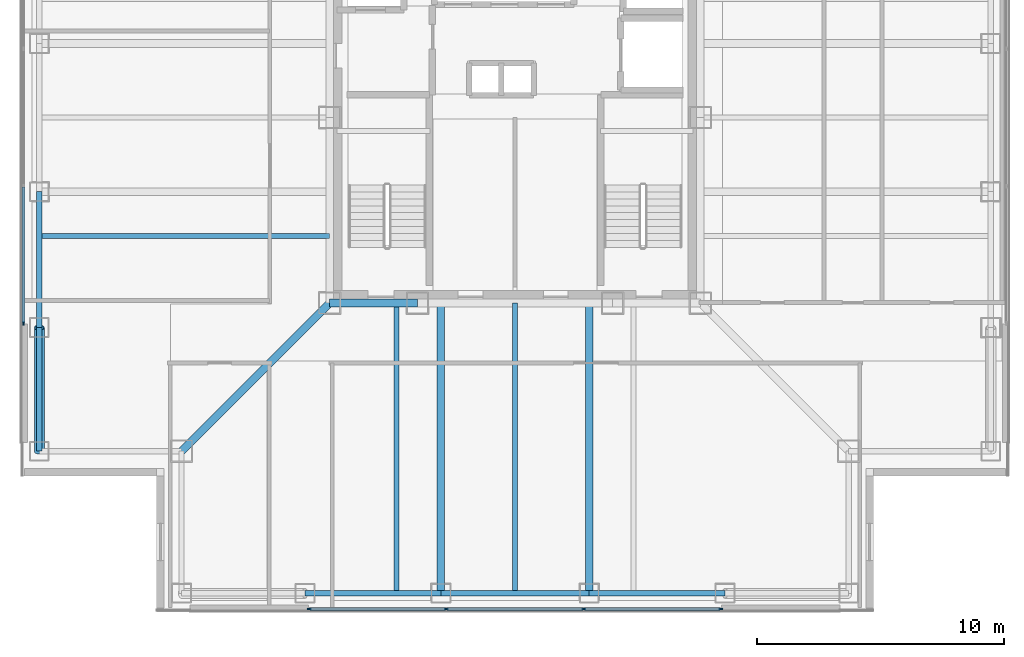
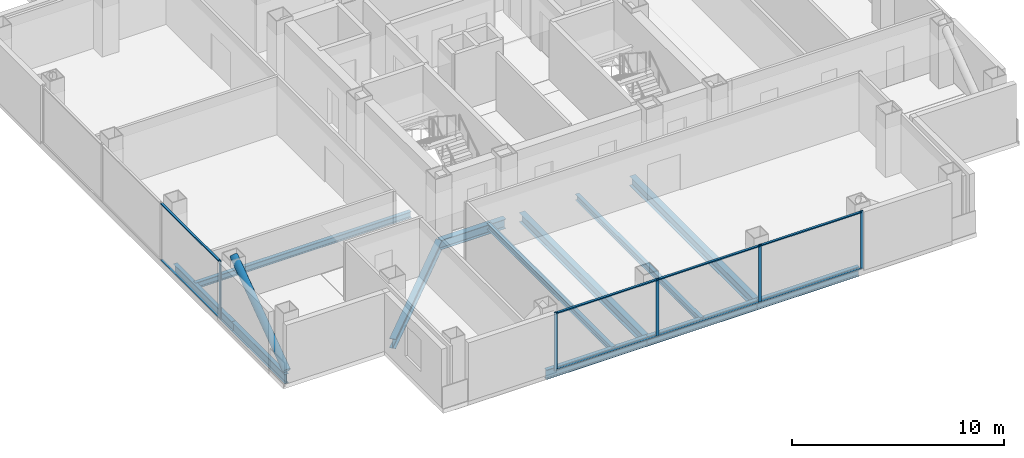
# One storey, part 2 of 16: 14 members, 12 beams, 2 elements without a shape of their own.
"""IFC4 building model written with IfcOpenShell, lengths in metres."""

from ifc_helpers import new_model, si_unit, direction, frame, origin, origin_2d, place, context, subcontext, project, spatial, rectangle, hollow_circle, i_section, extrude, material, layer, layer_set, material_profile, profile_set, type_object, element, aggregate, save


model = new_model("IFC4")

# Units and contexts
model_context = context("Model", 3, precision=1e-05, world=origin(), true_north=direction((0.0, 1.0)))
body_context = subcontext(model_context, "Body", "Model", "MODEL_VIEW")
ifc_project = project(units=[si_unit("LENGTHUNIT", "METRE"), si_unit("AREAUNIT", "SQUARE_METRE"), si_unit("VOLUMEUNIT", "CUBIC_METRE"), si_unit("PLANEANGLEUNIT", "RADIAN"), si_unit("MASSUNIT", "GRAM", prefix="KILO")], contexts=[model_context])

# Site, building, storey
site_placement = place(None, origin())
site = spatial("IfcSite", under=ifc_project, at=site_placement, CompositionType="ELEMENT")
building_placement = place(site_placement, origin())
building = spatial("IfcBuilding", under=site, at=building_placement, Name="Trevonay Congress Spire", CompositionType="ELEMENT")
storey_placement = place(building_placement, frame((0.0, 0.0, 180.60009765625)))
storey = spatial("IfcBuildingStorey", under=building, at=storey_placement, Name="L46", CompositionType="ELEMENT", Elevation=180.60009765625)

# Beams
ifc_material_1 = material(Name="Steel ASTM A572 Grade 50", Category="steel")
ifc_material_profile_1 = material_profile(ifc_material_1, i_section(OverallWidth=0.31201171875, OverallDepth=0.54296875, WebThickness=0.0126953125, FlangeThickness=0.020263671875, FilletRadius=0.014892578125, at=origin_2d()), Name="W530x150")
ifc_profile_set_1 = profile_set([ifc_material_profile_1], Name="Steel ASTM A572 Grade 50")
beam_type_1 = type_object("IfcBeamType", Name="BM-GIRD-W530X150", PredefinedType="BEAM", material=ifc_profile_set_1)
beam_1_placement = place(storey_placement, frame((-7.5, -7.5, -0.51171875), z_axis=(1.0, 0.0, 0.0), x_axis=(0.0, 1.0, 0.0)))
element("IfcBeam", 1, at=beam_1_placement, inside=storey, type_object=beam_type_1, Name="L46 structural beam BM-L46-CR-S1", PredefinedType="BEAM", context=body_context, shape_type="SweptSolid", body=[
    extrude(i_section(OverallWidth=0.31201171875, OverallDepth=0.54296875, WebThickness=0.0126953125, FlangeThickness=0.020263671875, FilletRadius=0.014892578125, at=origin_2d()), origin(), (0.0, 0.0, 1.0), 3.550048828125),
])
beam_2_placement = place(storey_placement, frame((-7.5, -7.5, -0.51171875), z_axis=(-0.707106781187, -0.707106781187, 0.0), x_axis=(0.707106781187, -0.707106781187, 0.0)))
element("IfcBeam", 2, at=beam_2_placement, inside=storey, type_object=beam_type_1, Name="L46 structural beam BM-L46-CDSW", PredefinedType="BEAM", context=body_context, shape_type="SweptSolid", body=[
    extrude(i_section(OverallWidth=0.31201171875, OverallDepth=0.54296875, WebThickness=0.0126953125, FlangeThickness=0.020263671875, FilletRadius=0.014892578125, at=origin_2d()), origin(), (0.0, 0.0, 1.0), 8.4853515625),
])
for number, where, z_axis, x_axis, name in (
    (3, (-3.0, -7.5, -0.51171875), (0.0, -1.0, 0.0), (1.0, 0.0, 0.0), "L46 structural beam BM-L46-GS-M"),
    (4, (3.0, -7.5, -0.51171875), (0.0, -1.0, 0.0), (1.0, 0.0, 0.0), "L46 structural beam BM-L46-GS-P"),
):
    element("IfcBeam", number, at=place(storey_placement, frame(where, z_axis=z_axis, x_axis=x_axis)), inside=storey, type_object=beam_type_1, Name=name, PredefinedType="BEAM", context=body_context, shape_type="SweptSolid", body=[
        extrude(i_section(OverallWidth=0.31201171875, OverallDepth=0.54296875, WebThickness=0.0126953125, FlangeThickness=0.020263671875, FilletRadius=0.014892578125, at=origin_2d()), origin(), (0.0, 0.0, 1.0), 11.75),
    ])
ifc_material_profile_2 = material_profile(ifc_material_1, i_section(OverallWidth=0.2119140625, OverallDepth=0.5439453125, WebThickness=0.01318359375, FlangeThickness=0.021240234375, FilletRadius=0.014892578125, at=origin_2d()), Name="W530x123")
ifc_profile_set_2 = profile_set([ifc_material_profile_2], Name="Steel ASTM A572 Grade 50")
beam_type_2 = type_object("IfcBeamType", Name="BM-RING-W530X123", PredefinedType="BEAM", material=ifc_profile_set_2)
beam_3_placement = place(storey_placement, frame((-19.25, -13.5, -0.51220703125), z_axis=(0.0, 1.0, 0.0), x_axis=(-1.0, 0.0, 0.0)))
element("IfcBeam", 5, at=beam_3_placement, inside=storey, type_object=beam_type_2, Name="L46 structural beam BM-L46-PW1", PredefinedType="BEAM", context=body_context, shape_type="SweptSolid", body=[
    extrude(i_section(OverallWidth=0.2119140625, OverallDepth=0.5439453125, WebThickness=0.01318359375, FlangeThickness=0.021240234375, FilletRadius=0.014892578125, at=origin_2d()), origin(), (0.0, 0.0, 1.0), 5.0),
])
for number, where, z_axis, x_axis, name in (
    (6, (-8.5, -19.25, -0.51220703125), (1.0, 0.0, 0.0), (0.0, 1.0, 0.0), "L46 structural beam BM-L46-PS2"),
    (7, (-19.25, -8.5, -0.51220703125), (0.0, 1.0, 0.0), (-1.0, 0.0, 0.0), "L46 structural beam BM-L46-PW2"),
):
    element("IfcBeam", number, at=place(storey_placement, frame(where, z_axis=z_axis, x_axis=x_axis)), inside=storey, type_object=beam_type_2, Name=name, PredefinedType="BEAM", context=body_context, shape_type="SweptSolid", body=[
        extrude(i_section(OverallWidth=0.2119140625, OverallDepth=0.5439453125, WebThickness=0.01318359375, FlangeThickness=0.021240234375, FilletRadius=0.014892578125, at=origin_2d()), origin(), (0.0, 0.0, 1.0), 5.5),
    ])
beam_4_placement = place(storey_placement, frame((-3.0, -19.25, -0.51220703125), z_axis=(1.0, 0.0, 0.0), x_axis=(0.0, 1.0, 0.0)))
element("IfcBeam", 8, at=beam_4_placement, inside=storey, type_object=beam_type_2, Name="L46 structural beam BM-L46-PS3", PredefinedType="BEAM", context=body_context, shape_type="SweptSolid", body=[
    extrude(i_section(OverallWidth=0.2119140625, OverallDepth=0.5439453125, WebThickness=0.01318359375, FlangeThickness=0.021240234375, FilletRadius=0.014892578125, at=origin_2d()), origin(), (0.0, 0.0, 1.0), 6.0),
])
beam_5_placement = place(storey_placement, frame((3.0, -19.25, -0.51220703125), z_axis=(1.0, 0.0, 0.0), x_axis=(0.0, 1.0, 0.0)))
element("IfcBeam", 9, at=beam_5_placement, inside=storey, type_object=beam_type_2, Name="L46 structural beam BM-L46-PS4", PredefinedType="BEAM", context=body_context, shape_type="SweptSolid", body=[
    extrude(i_section(OverallWidth=0.2119140625, OverallDepth=0.5439453125, WebThickness=0.01318359375, FlangeThickness=0.021240234375, FilletRadius=0.014892578125, at=origin_2d()), origin(), (0.0, 0.0, 1.0), 5.5),
])

# Curtain wall, members
ifc_material_2 = material(Name="Pale Anodised Aluminium EN AW-6063-T6", Category="aluminium")
ifc_layer = layer(ifc_material_2, 0.169921875, Name="Pale Anodised Aluminium EN AW-6063-T6")
ifc_layer_set = layer_set([ifc_layer], Name="Pale Anodised Aluminium EN AW-6063-T6")
curtain_wall_type = type_object("IfcCurtainWallType", Name="CW-SYS04-CORP-PALE-METAL", PredefinedType="NOTDEFINED", material=ifc_layer_set)
curtain_wall_1_placement = place(storey_placement, origin())
curtain_wall_1 = element("IfcCurtainWall", 10, at=curtain_wall_1_placement, inside=storey, type_object=curtain_wall_type, Name="L46 S unitised curtain wall", PredefinedType="NOTDEFINED")
ifc_material_profile_3 = material_profile(ifc_material_2, rectangle(XDim=0.06005859375, YDim=0.159912109375, at=origin_2d()), Name="CW-MULLION-160-ALUMINIUM")
ifc_profile_set_3 = profile_set([ifc_material_profile_3], Name="Pale Anodised Aluminium EN AW-6063-T6")
member_type_1 = type_object("IfcMemberType", Name="CW-MULLION-160-ALUMINIUM", PredefinedType="MULLION", material=ifc_profile_set_3)
member_1_placement = place(storey_placement, frame((-8.320068359375, -19.8798828125, 0.0), z_axis=(0.0, 0.0, 1.0), x_axis=(0.0, 1.0, 0.0)))
member_1 = element("IfcMember", 11, at=member_1_placement, type_object=member_type_1, Name="CW04 mullion 1", PredefinedType="MULLION", context=body_context, shape_type="SweptSolid", body=[
    extrude(rectangle(XDim=0.06005859375, YDim=0.159912109375, at=origin_2d()), origin(), (0.0, 0.0, 1.0), 3.35986328125),
])
member_2_placement = place(storey_placement, frame((-2.783447265625, -19.8798828125, 0.0), z_axis=(0.0, 0.0, 1.0), x_axis=(0.0, 1.0, 0.0)))
member_2 = element("IfcMember", 12, at=member_2_placement, type_object=member_type_1, Name="CW04 mullion 2", PredefinedType="MULLION", context=body_context, shape_type="SweptSolid", body=[
    extrude(rectangle(XDim=0.06005859375, YDim=0.159912109375, at=origin_2d()), origin(), (0.0, 0.0, 1.0), 3.35986328125),
])
member_3_placement = place(storey_placement, frame((2.783447265625, -19.8798828125, 0.0), z_axis=(0.0, 0.0, 1.0), x_axis=(0.0, 1.0, 0.0)))
member_3 = element("IfcMember", 13, at=member_3_placement, type_object=member_type_1, Name="CW04 mullion 3", PredefinedType="MULLION", context=body_context, shape_type="SweptSolid", body=[
    extrude(rectangle(XDim=0.06005859375, YDim=0.159912109375, at=origin_2d()), origin(), (0.0, 0.0, 1.0), 3.35986328125),
])
member_4_placement = place(storey_placement, frame((8.320068359375, -19.8798828125, 0.0), z_axis=(0.0, 0.0, 1.0), x_axis=(0.0, 1.0, 0.0)))
member_4 = element("IfcMember", 14, at=member_4_placement, type_object=member_type_1, Name="CW04 mullion 4", PredefinedType="MULLION", context=body_context, shape_type="SweptSolid", body=[
    extrude(rectangle(XDim=0.06005859375, YDim=0.159912109375, at=origin_2d()), origin(), (0.0, 0.0, 1.0), 3.35986328125),
])

# Curtain wall, member
curtain_wall_2_placement = place(storey_placement, origin())
curtain_wall_2 = element("IfcCurtainWall", 15, at=curtain_wall_2_placement, inside=storey, type_object=curtain_wall_type, Name="L46 W unitised curtain wall", PredefinedType="NOTDEFINED")
member_5_placement = place(storey_placement, frame((-19.8798828125, -8.320068359375, 0.0), z_axis=(0.0, 0.0, 1.0), x_axis=(-1.0, 0.0, 0.0)))
member_5 = element("IfcMember", 16, at=member_5_placement, type_object=member_type_1, Name="CW04 mullion 1", PredefinedType="MULLION", context=body_context, shape_type="SweptSolid", body=[
    extrude(rectangle(XDim=0.06005859375, YDim=0.159912109375, at=origin_2d()), origin(), (0.0, 0.0, 1.0), 3.35986328125),
])

# Member
ifc_material_profile_4 = material_profile(ifc_material_2, rectangle(XDim=0.1201171875, YDim=0.06005859375, at=origin_2d()), Name="CW-TRANSOM-120-ALUMINIUM")
ifc_profile_set_4 = profile_set([ifc_material_profile_4], Name="Pale Anodised Aluminium EN AW-6063-T6")
member_type_2 = type_object("IfcMemberType", Name="CW-TRANSOM-120-ALUMINIUM", PredefinedType="USERDEFINED", material=ifc_profile_set_4)
member_6_placement = place(storey_placement, frame((-8.2900390625, -19.8798828125, 0.059814453125), z_axis=(1.0, 0.0, 0.0), x_axis=(0.0, 1.0, 0.0)))
member_6 = element("IfcMember", 17, at=member_6_placement, type_object=member_type_2, Name="CW04 transom 1.1", ObjectType="TRANSOM", PredefinedType="USERDEFINED", context=body_context, shape_type="SweptSolid", body=[
    extrude(rectangle(XDim=0.1201171875, YDim=0.06005859375, at=origin_2d()), origin(), (0.0, 0.0, 1.0), 5.476806640625),
])

member_7_placement = place(storey_placement, frame((-8.2900390625, -19.8798828125, 3.2998046875), z_axis=(1.0, 0.0, 0.0), x_axis=(0.0, 1.0, 0.0)))
member_7 = element("IfcMember", 18, at=member_7_placement, type_object=member_type_2, Name="CW04 transom 1.2", ObjectType="TRANSOM", PredefinedType="USERDEFINED", context=body_context, shape_type="SweptSolid", body=[
    extrude(rectangle(XDim=0.1201171875, YDim=0.06005859375, at=origin_2d()), origin(), (0.0, 0.0, 1.0), 5.476806640625),
])

member_8_placement = place(storey_placement, frame((-2.75341796875, -19.8798828125, 0.059814453125), z_axis=(1.0, 0.0, 0.0), x_axis=(0.0, 1.0, 0.0)))
member_8 = element("IfcMember", 19, at=member_8_placement, type_object=member_type_2, Name="CW04 transom 2.1", ObjectType="TRANSOM", PredefinedType="USERDEFINED", context=body_context, shape_type="SweptSolid", body=[
    extrude(rectangle(XDim=0.1201171875, YDim=0.06005859375, at=origin_2d()), origin(), (0.0, 0.0, 1.0), 5.5068359375),
])

member_9_placement = place(storey_placement, frame((-2.75341796875, -19.8798828125, 3.2998046875), z_axis=(1.0, 0.0, 0.0), x_axis=(0.0, 1.0, 0.0)))
member_9 = element("IfcMember", 20, at=member_9_placement, type_object=member_type_2, Name="CW04 transom 2.2", ObjectType="TRANSOM", PredefinedType="USERDEFINED", context=body_context, shape_type="SweptSolid", body=[
    extrude(rectangle(XDim=0.1201171875, YDim=0.06005859375, at=origin_2d()), origin(), (0.0, 0.0, 1.0), 5.5068359375),
])

member_10_placement = place(storey_placement, frame((2.813232421875, -19.8798828125, 0.059814453125), z_axis=(1.0, 0.0, 0.0), x_axis=(0.0, 1.0, 0.0)))
member_10 = element("IfcMember", 21, at=member_10_placement, type_object=member_type_2, Name="CW04 transom 3.1", ObjectType="TRANSOM", PredefinedType="USERDEFINED", context=body_context, shape_type="SweptSolid", body=[
    extrude(rectangle(XDim=0.1201171875, YDim=0.06005859375, at=origin_2d()), origin(), (0.0, 0.0, 1.0), 5.476806640625),
])

member_11_placement = place(storey_placement, frame((2.813232421875, -19.8798828125, 3.2998046875), z_axis=(1.0, 0.0, 0.0), x_axis=(0.0, 1.0, 0.0)))
member_11 = element("IfcMember", 22, at=member_11_placement, type_object=member_type_2, Name="CW04 transom 3.2", ObjectType="TRANSOM", PredefinedType="USERDEFINED", context=body_context, shape_type="SweptSolid", body=[
    extrude(rectangle(XDim=0.1201171875, YDim=0.06005859375, at=origin_2d()), origin(), (0.0, 0.0, 1.0), 5.476806640625),
])

aggregate(curtain_wall_1, [member_1, member_2, member_3, member_4, member_6, member_7, member_8, member_9, member_10, member_11])

member_12_placement = place(storey_placement, frame((-19.8798828125, -8.2900390625, 0.059814453125), z_axis=(0.0, 1.0, 0.0), x_axis=(-1.0, 0.0, 0.0)))
member_12 = element("IfcMember", 23, at=member_12_placement, type_object=member_type_2, Name="CW04 transom 1.1", ObjectType="TRANSOM", PredefinedType="USERDEFINED", context=body_context, shape_type="SweptSolid", body=[
    extrude(rectangle(XDim=0.1201171875, YDim=0.06005859375, at=origin_2d()), origin(), (0.0, 0.0, 1.0), 5.476806640625),
])

member_13_placement = place(storey_placement, frame((-19.8798828125, -8.2900390625, 3.2998046875), z_axis=(0.0, 1.0, 0.0), x_axis=(-1.0, 0.0, 0.0)))
member_13 = element("IfcMember", 24, at=member_13_placement, type_object=member_type_2, Name="CW04 transom 1.2", ObjectType="TRANSOM", PredefinedType="USERDEFINED", context=body_context, shape_type="SweptSolid", body=[
    extrude(rectangle(XDim=0.1201171875, YDim=0.06005859375, at=origin_2d()), origin(), (0.0, 0.0, 1.0), 5.476806640625),
])

aggregate(curtain_wall_2, [member_5, member_12, member_13])

# Beams
ifc_material_profile_5 = material_profile(ifc_material_1, i_section(OverallWidth=0.205078125, OverallDepth=0.35400390625, WebThickness=0.009521484375, FlangeThickness=0.016845703125, FilletRadius=0.011962890625, at=origin_2d()), Name="W360x79")
ifc_profile_set_5 = profile_set([ifc_material_profile_5], Name="Steel ASTM A572 Grade 50")
beam_type_3 = type_object("IfcBeamType", Name="JS-COMP-W360X79", PredefinedType="JOIST", material=ifc_profile_set_5)
for number, where, z_axis, x_axis, name in (
    (25, (-4.800048828125, -19.25, -0.4169921875), (0.0, 1.0, 0.0), (-1.0, 0.0, 0.0), "L46 structural beam JS-L46-NS-S1"),
    (26, (-19.25, -4.800048828125, -0.4169921875), (1.0, 0.0, 0.0), (0.0, 1.0, 0.0), "L46 structural beam JS-L46-EW-W1"),
    (27, (0.0, -19.25, -0.4169921875), (0.0, 1.0, 0.0), (-1.0, 0.0, 0.0), "L46 structural beam JS-L46-NS-S2"),
):
    element("IfcBeam", number, at=place(storey_placement, frame(where, z_axis=z_axis, x_axis=x_axis)), inside=storey, type_object=beam_type_3, Name=name, PredefinedType="JOIST", context=body_context, shape_type="SweptSolid", body=[
        extrude(i_section(OverallWidth=0.205078125, OverallDepth=0.35400390625, WebThickness=0.009521484375, FlangeThickness=0.016845703125, FilletRadius=0.011962890625, at=origin_2d()), origin(), (0.0, 0.0, 1.0), 11.75),
    ])

# Member
ifc_material_3 = material(Name="Steel ASTM A500 Grade C", Category="steel")
ifc_material_profile_6 = material_profile(ifc_material_3, hollow_circle(Radius=0.203125, WallThickness=0.02001953125, at=origin_2d()), Name="CHS 406.4x20")
ifc_profile_set_6 = profile_set([ifc_material_profile_6], Name="Steel ASTM A500 Grade C")
member_type_3 = type_object("IfcMemberType", Name="MBR-TUBE-CHS406", PredefinedType="BRACE", material=ifc_profile_set_6)
member_14_placement = place(storey_placement, frame((-19.25, -13.5, -0.050048828125), z_axis=(0.0, 0.811545615365, 0.584289067313), x_axis=(-1.0, 0.0, 0.0)))
element("IfcMember", 28, at=member_14_placement, inside=storey, type_object=member_type_3, Name="L46 perimeter braced-tube diagonal W0", PredefinedType="BRACE", context=body_context, shape_type="SweptSolid", body=[
    extrude(hollow_circle(Radius=0.203125, WallThickness=0.02001953125, at=origin_2d()), origin(), (0.0, 0.0, 1.0), 6.1611328125),
])

save(model, "model.ifc")
